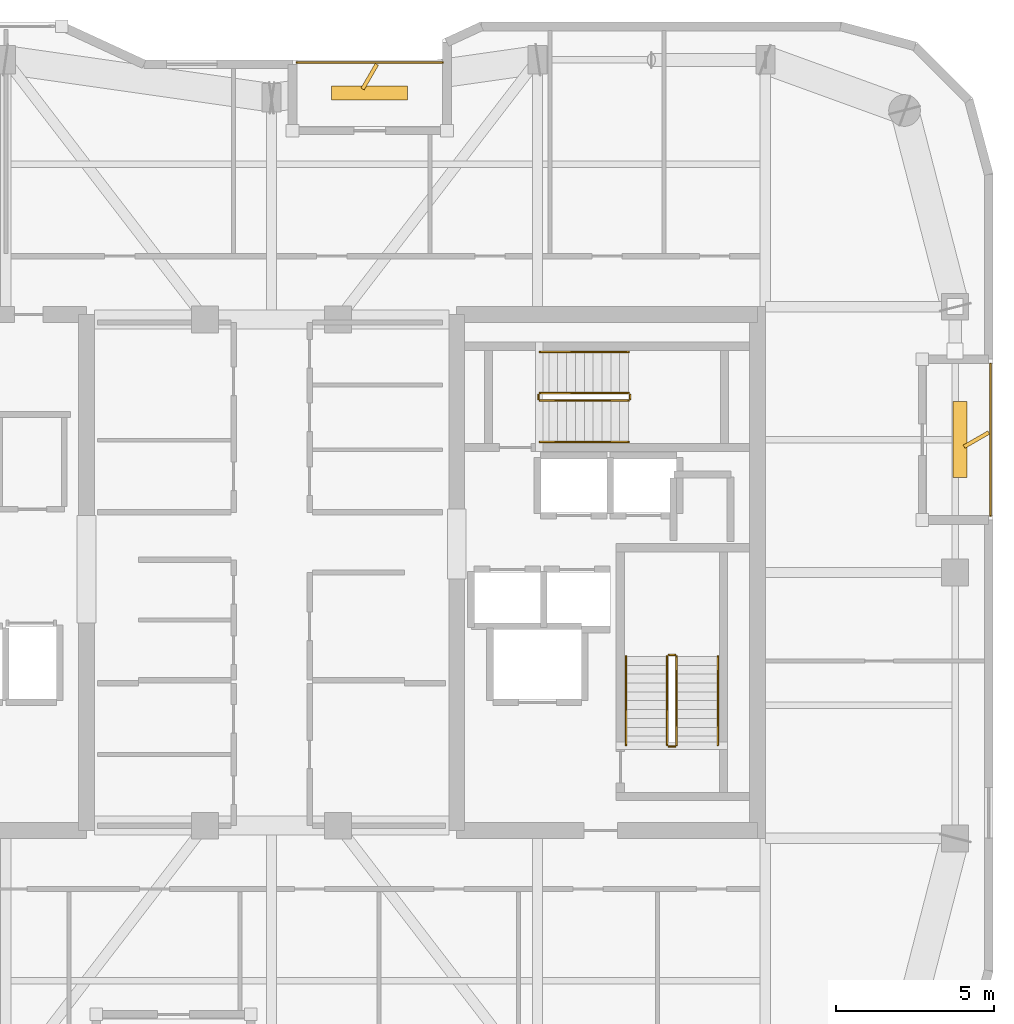
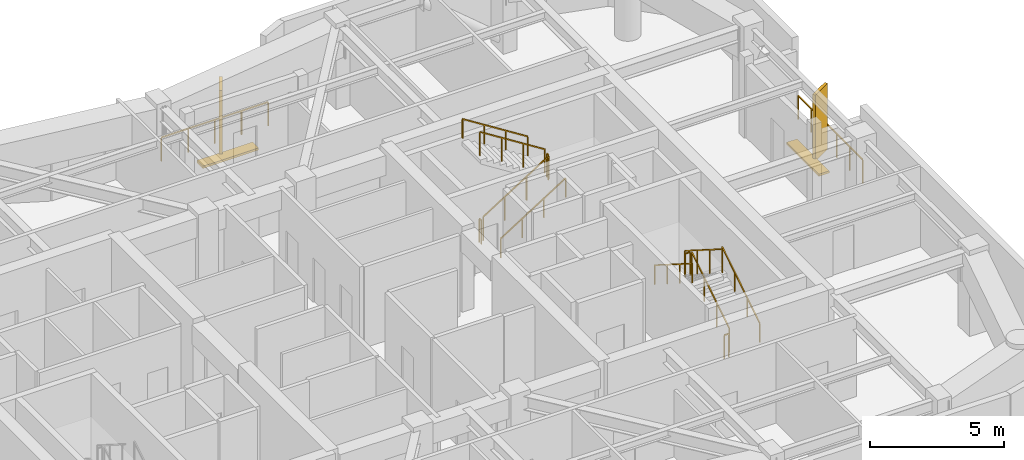
# One storey, part 16 of 16: 14 railings, 4 shading devices.
"""IFC4 building model written with IfcOpenShell, lengths in metres."""

from ifc_helpers import new_model, si_unit, direction, frame, origin, origin_2d, place, context, subcontext, project, spatial, rectangle, extrude, material, type_object, element, save


model = new_model("IFC4")

# Units and contexts
model_context = context("Model", 3, precision=1e-05, world=origin(), true_north=direction((0.0, 1.0)))
body_context = subcontext(model_context, "Body", "Model", "MODEL_VIEW")
ifc_project = project(units=[si_unit("LENGTHUNIT", "METRE"), si_unit("AREAUNIT", "SQUARE_METRE"), si_unit("VOLUMEUNIT", "CUBIC_METRE"), si_unit("PLANEANGLEUNIT", "RADIAN"), si_unit("MASSUNIT", "GRAM", prefix="KILO")], contexts=[model_context])

# Site, building, storey
site_placement = place(None, origin())
site = spatial("IfcSite", under=ifc_project, at=site_placement, CompositionType="ELEMENT")
building_placement = place(site_placement, origin())
building = spatial("IfcBuilding", under=site, at=building_placement, Name="Kiyonajd Concourse Tower", CompositionType="ELEMENT")
storey_placement = place(building_placement, frame((0.0, 0.0, 302.39990234375)))
storey = spatial("IfcBuildingStorey", under=building, at=storey_placement, Name="L76", CompositionType="ELEMENT", Elevation=302.39990234375)

# Railings
ifc_material_1 = material(Name="Thermally Broken Anodised Aluminium", Category="aluminium")
railing_type_1 = type_object("IfcRailingType", Name="RL-GRD-LOG", PredefinedType="GUARDRAIL", material=ifc_material_1)
railing_1_placement = place(storey_placement, frame((53.39990234375, 52.1201171875, 0.0)))
element("IfcRailing", 1, at=railing_1_placement, inside=storey, type_object=railing_type_1, Name="L76 Engawa Loggia Perimeter Guard LOG-N", PredefinedType="GUARDRAIL", context=body_context, shape_type="SweptSolid", body=[
    extrude(rectangle(XDim=0.048095703125, YDim=0.048095703125, at=origin_2d()), frame((0.0, 0.0, 1.076171875), z_axis=(-1.0, 0.0, 0.0), x_axis=(0.0, -1.0, 0.0)), (0.0, 0.0, 1.0), 4.599853515625),
    extrude(rectangle(XDim=0.0419921875, YDim=0.0419921875, at=origin_2d()), origin(), (0.0, 0.0, 1.0), 1.052001953125),
    extrude(rectangle(XDim=0.0419921875, YDim=0.0419921875, at=origin_2d()), frame((-1.14990234375, 0.0, 0.0)), (0.0, 0.0, 1.0), 1.052001953125),
    extrude(rectangle(XDim=0.0419921875, YDim=0.0419921875, at=origin_2d()), frame((-2.2998046875, 0.0, 0.0)), (0.0, 0.0, 1.0), 1.052001953125),
    extrude(rectangle(XDim=0.0419921875, YDim=0.0419921875, at=origin_2d()), frame((-3.449951171875, 0.0, 0.0)), (0.0, 0.0, 1.0), 1.052001953125),
    extrude(rectangle(XDim=0.0419921875, YDim=0.0419921875, at=origin_2d()), frame((-4.599853515625, 0.0, 0.0)), (0.0, 0.0, 1.0), 1.052001953125),
])
railing_2_placement = place(storey_placement, frame((70.719970703125, 37.800048828125, 0.0)))
element("IfcRailing", 2, at=railing_2_placement, inside=storey, type_object=railing_type_1, Name="L76 Engawa Loggia Perimeter Guard LOG-E", PredefinedType="GUARDRAIL", context=body_context, shape_type="SweptSolid", body=[
    extrude(rectangle(XDim=0.048095703125, YDim=0.048095703125, at=origin_2d()), frame((0.0, 0.0, 1.076171875), z_axis=(0.0, 1.0, 0.0), x_axis=(-1.0, 0.0, 0.0)), (0.0, 0.0, 1.0), 4.800048828125),
    extrude(rectangle(XDim=0.0419921875, YDim=0.0419921875, at=origin_2d()), origin(), (0.0, 0.0, 1.0), 1.052001953125),
    extrude(rectangle(XDim=0.0419921875, YDim=0.0419921875, at=origin_2d()), frame((0.0, 0.9599609375, 0.0)), (0.0, 0.0, 1.0), 1.052001953125),
    extrude(rectangle(XDim=0.0419921875, YDim=0.0419921875, at=origin_2d()), frame((0.0, 1.919921875, 0.0)), (0.0, 0.0, 1.0), 1.052001953125),
    extrude(rectangle(XDim=0.0419921875, YDim=0.0419921875, at=origin_2d()), frame((0.0, 2.880126953125, 0.0)), (0.0, 0.0, 1.0), 1.052001953125),
    extrude(rectangle(XDim=0.0419921875, YDim=0.0419921875, at=origin_2d()), frame((0.0, 3.840087890625, 0.0)), (0.0, 0.0, 1.0), 1.052001953125),
    extrude(rectangle(XDim=0.0419921875, YDim=0.0419921875, at=origin_2d()), frame((0.0, 4.800048828125, 0.0)), (0.0, 0.0, 1.0), 1.052001953125),
])
ifc_material_2 = material(Name="Steel ASTM A500 Grade C", Category="steel")
railing_type_2 = type_object("IfcRailingType", Name="RL-GRD-STR", PredefinedType="GUARDRAIL", material=ifc_material_2)
railing_3_placement = place(storey_placement, frame((60.800048828125, 30.550048828125, 0.177490234375)))
element("IfcRailing", 3, at=railing_3_placement, inside=storey, type_object=railing_type_2, Name="L76 ST2 stair guard 1", PredefinedType="GUARDRAIL", context=body_context, shape_type="SweptSolid", body=[
    extrude(rectangle(XDim=0.048095703125, YDim=0.048095703125, at=origin_2d()), frame((0.0, 0.0, 1.076171875), z_axis=(0.0, 0.844908973607, 0.534910110503), x_axis=(-1.0, 0.0, 0.0)), (0.0, 0.0, 1.0), 3.31396484375),
    extrude(rectangle(XDim=0.0419921875, YDim=0.0419921875, at=origin_2d()), origin(), (0.0, 0.0, 1.0), 1.052001953125),
    extrude(rectangle(XDim=0.0419921875, YDim=0.0419921875, at=origin_2d()), frame((0.0, 0.933349609375, 0.5908203125)), (0.0, 0.0, 1.0), 1.052001953125),
    extrude(rectangle(XDim=0.0419921875, YDim=0.0419921875, at=origin_2d()), frame((0.0, 1.86669921875, 1.181884765625)), (0.0, 0.0, 1.0), 1.052001953125),
    extrude(rectangle(XDim=0.0419921875, YDim=0.0419921875, at=origin_2d()), frame((0.0, 2.800048828125, 1.772705078125)), (0.0, 0.0, 1.0), 1.052001953125),
])
railing_4_placement = place(storey_placement, frame((60.75, 33.39990234375, 1.9501953125)))
element("IfcRailing", 4, at=railing_4_placement, inside=storey, type_object=railing_type_2, Name="L76 ST2 stair guard 2", PredefinedType="GUARDRAIL", context=body_context, shape_type="SweptSolid", body=[
    extrude(rectangle(XDim=0.048095703125, YDim=0.048095703125, at=origin_2d()), frame((0.0, 0.0, 1.076171875), z_axis=(-1.0, 0.0, 0.0), x_axis=(0.0, -1.0, 0.0)), (0.0, 0.0, 1.0), 0.199951171875),
    extrude(rectangle(XDim=0.0419921875, YDim=0.0419921875, at=origin_2d()), origin(), (0.0, 0.0, 1.0), 1.052001953125),
    extrude(rectangle(XDim=0.0419921875, YDim=0.0419921875, at=origin_2d()), frame((-0.199951171875, 0.0, 0.0)), (0.0, 0.0, 1.0), 1.052001953125),
])
railing_5_placement = place(storey_placement, frame((60.5, 33.35009765625, 2.12744140625)))
element("IfcRailing", 5, at=railing_5_placement, inside=storey, type_object=railing_type_2, Name="L76 ST2 stair guard 3", PredefinedType="GUARDRAIL", context=body_context, shape_type="SweptSolid", body=[
    extrude(rectangle(XDim=0.048095703125, YDim=0.048095703125, at=origin_2d()), frame((0.0, 0.0, 1.076171875), z_axis=(0.0, -0.844908973607, 0.534910110503), x_axis=(1.0, 0.0, 0.0)), (0.0, 0.0, 1.0), 3.31396484375),
    extrude(rectangle(XDim=0.0419921875, YDim=0.0419921875, at=origin_2d()), origin(), (0.0, 0.0, 1.0), 1.052001953125),
    extrude(rectangle(XDim=0.0419921875, YDim=0.0419921875, at=origin_2d()), frame((0.0, -0.933349609375, 0.5908203125)), (0.0, 0.0, 1.0), 1.052001953125),
    extrude(rectangle(XDim=0.0419921875, YDim=0.0419921875, at=origin_2d()), frame((0.0, -1.86669921875, 1.181884765625)), (0.0, 0.0, 1.0), 1.052001953125),
    extrude(rectangle(XDim=0.0419921875, YDim=0.0419921875, at=origin_2d()), frame((0.0, -2.800048828125, 1.772705078125)), (0.0, 0.0, 1.0), 1.052001953125),
])
railing_6_placement = place(storey_placement, frame((60.75, 30.5, 0.0)))
element("IfcRailing", 6, at=railing_6_placement, inside=storey, type_object=railing_type_2, Name="L76 ST2 stair guard 4", PredefinedType="GUARDRAIL", context=body_context, shape_type="SweptSolid", body=[
    extrude(rectangle(XDim=0.048095703125, YDim=0.048095703125, at=origin_2d()), frame((0.0, 0.0, 1.076171875), z_axis=(-1.0, 0.0, 0.0), x_axis=(0.0, -1.0, 0.0)), (0.0, 0.0, 1.0), 0.199951171875),
    extrude(rectangle(XDim=0.0419921875, YDim=0.0419921875, at=origin_2d()), origin(), (0.0, 0.0, 1.0), 1.052001953125),
    extrude(rectangle(XDim=0.0419921875, YDim=0.0419921875, at=origin_2d()), frame((-0.199951171875, 0.0, 0.0)), (0.0, 0.0, 1.0), 1.052001953125),
])
railing_7_placement = place(storey_placement, frame((56.47998046875, 41.429931640625, 0.177490234375)))
element("IfcRailing", 7, at=railing_7_placement, inside=storey, type_object=railing_type_2, Name="L76 ST3 stair guard 1", PredefinedType="GUARDRAIL", context=body_context, shape_type="SweptSolid", body=[
    extrude(rectangle(XDim=0.048095703125, YDim=0.048095703125, at=origin_2d()), frame((0.0, 0.0, 1.076171875), z_axis=(0.844908973607, 0.0, 0.534910110503), x_axis=(0.0, 1.0, 0.0)), (0.0, 0.0, 1.0), 3.31396484375),
    extrude(rectangle(XDim=0.0419921875, YDim=0.0419921875, at=origin_2d()), origin(), (0.0, 0.0, 1.0), 1.052001953125),
    extrude(rectangle(XDim=0.0419921875, YDim=0.0419921875, at=origin_2d()), frame((0.933349609375, 0.0, 0.5908203125)), (0.0, 0.0, 1.0), 1.052001953125),
    extrude(rectangle(XDim=0.0419921875, YDim=0.0419921875, at=origin_2d()), frame((1.86669921875, 0.0, 1.181884765625)), (0.0, 0.0, 1.0), 1.052001953125),
    extrude(rectangle(XDim=0.0419921875, YDim=0.0419921875, at=origin_2d()), frame((2.800048828125, 0.0, 1.772705078125)), (0.0, 0.0, 1.0), 1.052001953125),
])
railing_8_placement = place(storey_placement, frame((59.330078125, 41.47998046875, 1.9501953125)))
element("IfcRailing", 8, at=railing_8_placement, inside=storey, type_object=railing_type_2, Name="L76 ST3 stair guard 2", PredefinedType="GUARDRAIL", context=body_context, shape_type="SweptSolid", body=[
    extrude(rectangle(XDim=0.048095703125, YDim=0.048095703125, at=origin_2d()), frame((0.0, 0.0, 1.076171875), z_axis=(0.0, 1.0, 0.0), x_axis=(-1.0, 0.0, 0.0)), (0.0, 0.0, 1.0), 0.14013671875),
    extrude(rectangle(XDim=0.0419921875, YDim=0.0419921875, at=origin_2d()), origin(), (0.0, 0.0, 1.0), 1.052001953125),
    extrude(rectangle(XDim=0.0419921875, YDim=0.0419921875, at=origin_2d()), frame((0.0, 0.14013671875, 0.0)), (0.0, 0.0, 1.0), 1.052001953125),
])
railing_9_placement = place(storey_placement, frame((59.280029296875, 41.669921875, 2.12744140625)))
element("IfcRailing", 9, at=railing_9_placement, inside=storey, type_object=railing_type_2, Name="L76 ST3 stair guard 3", PredefinedType="GUARDRAIL", context=body_context, shape_type="SweptSolid", body=[
    extrude(rectangle(XDim=0.048095703125, YDim=0.048095703125, at=origin_2d()), frame((0.0, 0.0, 1.076171875), z_axis=(-0.844908973607, 0.0, 0.534910110503), x_axis=(0.0, -1.0, 0.0)), (0.0, 0.0, 1.0), 3.31396484375),
    extrude(rectangle(XDim=0.0419921875, YDim=0.0419921875, at=origin_2d()), origin(), (0.0, 0.0, 1.0), 1.052001953125),
    extrude(rectangle(XDim=0.0419921875, YDim=0.0419921875, at=origin_2d()), frame((-0.933349609375, 0.0, 0.5908203125)), (0.0, 0.0, 1.0), 1.052001953125),
    extrude(rectangle(XDim=0.0419921875, YDim=0.0419921875, at=origin_2d()), frame((-1.86669921875, 0.0, 1.181884765625)), (0.0, 0.0, 1.0), 1.052001953125),
    extrude(rectangle(XDim=0.0419921875, YDim=0.0419921875, at=origin_2d()), frame((-2.800048828125, 0.0, 1.772705078125)), (0.0, 0.0, 1.0), 1.052001953125),
])
railing_10_placement = place(storey_placement, frame((56.429931640625, 41.47998046875, 0.0)))
element("IfcRailing", 10, at=railing_10_placement, inside=storey, type_object=railing_type_2, Name="L76 ST3 stair guard 4", PredefinedType="GUARDRAIL", context=body_context, shape_type="SweptSolid", body=[
    extrude(rectangle(XDim=0.048095703125, YDim=0.048095703125, at=origin_2d()), frame((0.0, 0.0, 1.076171875), z_axis=(0.0, 1.0, 0.0), x_axis=(-1.0, 0.0, 0.0)), (0.0, 0.0, 1.0), 0.14013671875),
    extrude(rectangle(XDim=0.0419921875, YDim=0.0419921875, at=origin_2d()), origin(), (0.0, 0.0, 1.0), 1.052001953125),
    extrude(rectangle(XDim=0.0419921875, YDim=0.0419921875, at=origin_2d()), frame((0.0, 0.14013671875, 0.0)), (0.0, 0.0, 1.0), 1.052001953125),
])
ifc_material_3 = material(Name="Brushed Stainless Steel Cab Assembly", Category="steel")
railing_type_3 = type_object("IfcRailingType", Name="RL-HND-900", PredefinedType="HANDRAIL", material=ifc_material_3)
railing_11_placement = place(storey_placement, frame((62.10009765625, 30.550048828125, 0.177490234375)))
element("IfcRailing", 11, at=railing_11_placement, inside=storey, type_object=railing_type_3, Name="L76 ST2 stair handrail 1", PredefinedType="HANDRAIL", context=body_context, shape_type="SweptSolid", body=[
    extrude(rectangle(XDim=0.048095703125, YDim=0.048095703125, at=origin_2d()), frame((0.0, 0.0, 0.8759765625), z_axis=(0.0, 0.844908973607, 0.534910110503), x_axis=(-1.0, 0.0, 0.0)), (0.0, 0.0, 1.0), 3.31396484375),
    extrude(rectangle(XDim=0.0419921875, YDim=0.0419921875, at=origin_2d()), origin(), (0.0, 0.0, 1.0), 0.851806640625),
    extrude(rectangle(XDim=0.0419921875, YDim=0.0419921875, at=origin_2d()), frame((0.0, 0.933349609375, 0.5908203125)), (0.0, 0.0, 1.0), 0.851806640625),
    extrude(rectangle(XDim=0.0419921875, YDim=0.0419921875, at=origin_2d()), frame((0.0, 1.86669921875, 1.181884765625)), (0.0, 0.0, 1.0), 0.851806640625),
    extrude(rectangle(XDim=0.0419921875, YDim=0.0419921875, at=origin_2d()), frame((0.0, 2.800048828125, 1.772705078125)), (0.0, 0.0, 1.0), 0.851806640625),
])
railing_12_placement = place(storey_placement, frame((59.199951171875, 33.35009765625, 2.12744140625)))
element("IfcRailing", 12, at=railing_12_placement, inside=storey, type_object=railing_type_3, Name="L76 ST2 stair handrail 2", PredefinedType="HANDRAIL", context=body_context, shape_type="SweptSolid", body=[
    extrude(rectangle(XDim=0.048095703125, YDim=0.048095703125, at=origin_2d()), frame((0.0, 0.0, 0.8759765625), z_axis=(0.0, -0.844908973607, 0.534910110503), x_axis=(1.0, 0.0, 0.0)), (0.0, 0.0, 1.0), 3.31396484375),
    extrude(rectangle(XDim=0.0419921875, YDim=0.0419921875, at=origin_2d()), origin(), (0.0, 0.0, 1.0), 0.851806640625),
    extrude(rectangle(XDim=0.0419921875, YDim=0.0419921875, at=origin_2d()), frame((0.0, -0.933349609375, 0.5908203125)), (0.0, 0.0, 1.0), 0.851806640625),
    extrude(rectangle(XDim=0.0419921875, YDim=0.0419921875, at=origin_2d()), frame((0.0, -1.86669921875, 1.181884765625)), (0.0, 0.0, 1.0), 0.851806640625),
    extrude(rectangle(XDim=0.0419921875, YDim=0.0419921875, at=origin_2d()), frame((0.0, -2.800048828125, 1.772705078125)), (0.0, 0.0, 1.0), 0.851806640625),
])
railing_13_placement = place(storey_placement, frame((56.47998046875, 40.1298828125, 0.177490234375)))
element("IfcRailing", 13, at=railing_13_placement, inside=storey, type_object=railing_type_3, Name="L76 ST3 stair handrail 1", PredefinedType="HANDRAIL", context=body_context, shape_type="SweptSolid", body=[
    extrude(rectangle(XDim=0.048095703125, YDim=0.048095703125, at=origin_2d()), frame((0.0, 0.0, 0.8759765625), z_axis=(0.844908973607, 0.0, 0.534910110503), x_axis=(0.0, 1.0, 0.0)), (0.0, 0.0, 1.0), 3.31396484375),
    extrude(rectangle(XDim=0.0419921875, YDim=0.0419921875, at=origin_2d()), origin(), (0.0, 0.0, 1.0), 0.851806640625),
    extrude(rectangle(XDim=0.0419921875, YDim=0.0419921875, at=origin_2d()), frame((0.933349609375, 0.0, 0.5908203125)), (0.0, 0.0, 1.0), 0.851806640625),
    extrude(rectangle(XDim=0.0419921875, YDim=0.0419921875, at=origin_2d()), frame((1.86669921875, 0.0, 1.181884765625)), (0.0, 0.0, 1.0), 0.851806640625),
    extrude(rectangle(XDim=0.0419921875, YDim=0.0419921875, at=origin_2d()), frame((2.800048828125, 0.0, 1.772705078125)), (0.0, 0.0, 1.0), 0.851806640625),
])
railing_14_placement = place(storey_placement, frame((59.280029296875, 42.969970703125, 2.12744140625)))
element("IfcRailing", 14, at=railing_14_placement, inside=storey, type_object=railing_type_3, Name="L76 ST3 stair handrail 2", PredefinedType="HANDRAIL", context=body_context, shape_type="SweptSolid", body=[
    extrude(rectangle(XDim=0.048095703125, YDim=0.048095703125, at=origin_2d()), frame((0.0, 0.0, 0.8759765625), z_axis=(-0.844908973607, 0.0, 0.534910110503), x_axis=(0.0, -1.0, 0.0)), (0.0, 0.0, 1.0), 3.31396484375),
    extrude(rectangle(XDim=0.0419921875, YDim=0.0419921875, at=origin_2d()), origin(), (0.0, 0.0, 1.0), 0.851806640625),
    extrude(rectangle(XDim=0.0419921875, YDim=0.0419921875, at=origin_2d()), frame((-0.933349609375, 0.0, 0.5908203125)), (0.0, 0.0, 1.0), 0.851806640625),
    extrude(rectangle(XDim=0.0419921875, YDim=0.0419921875, at=origin_2d()), frame((-1.86669921875, 0.0, 1.181884765625)), (0.0, 0.0, 1.0), 0.851806640625),
    extrude(rectangle(XDim=0.0419921875, YDim=0.0419921875, at=origin_2d()), frame((-2.800048828125, 0.0, 1.772705078125)), (0.0, 0.0, 1.0), 0.851806640625),
])

# Shading devices
ifc_material_4 = material(Name="Precast concrete C50/60", Category="concrete")
shading_device_type_1 = type_object("IfcShadingDeviceType", Name="SH-FIN-900", PredefinedType="USERDEFINED", material=ifc_material_4)
for number, where, z_axis, x_axis, name in (
    (15, (51.10009765625, 51.669921875, 0.0), (0.0, 0.0, 1.0), (0.5, 0.866025403784, 0.0), "L76 Angled Koshi Solar Fin LOG-N"),
    (16, (70.27001953125, 40.199951171875, 0.0), (0.0, 0.0, 1.0), (0.866025403784, 0.5, 0.0), "L76 Angled Koshi Solar Fin LOG-E"),
):
    element("IfcShadingDevice", number, at=place(storey_placement, frame(where, z_axis=z_axis, x_axis=x_axis)), inside=storey, type_object=shading_device_type_1, Name=name, ObjectType="FIN", PredefinedType="USERDEFINED", context=body_context, shape_type="SweptSolid", body=[
        extrude(rectangle(XDim=0.89990234375, YDim=0.1201171875, at=origin_2d()), origin(), (0.0, 0.0, 1.0), 3.0),
    ])
shading_device_type_2 = type_object("IfcShadingDeviceType", Name="SH-LVR-600", PredefinedType="JALOUSIE", material=ifc_material_1)
for number, where, z_axis, x_axis, name in (
    (17, (51.10009765625, 51.14990234375, 0.0), (0.0, 0.0, 1.0), (1.0, 0.0, 0.0), "L76 Loggia Threshold Louver LOG-N"),
    (18, (69.75, 40.199951171875, 0.0), (0.0, 0.0, 1.0), (0.0, 1.0, 0.0), "L76 Loggia Threshold Louver LOG-E"),
):
    element("IfcShadingDevice", number, at=place(storey_placement, frame(where, z_axis=z_axis, x_axis=x_axis)), inside=storey, type_object=shading_device_type_2, Name=name, PredefinedType="JALOUSIE", context=body_context, shape_type="SweptSolid", body=[
        extrude(rectangle(XDim=2.39990234375, YDim=0.449951171875, at=origin_2d()), origin(), (0.0, 0.0, 1.0), 0.10009765625),
    ])

save(model, "model.ifc")
